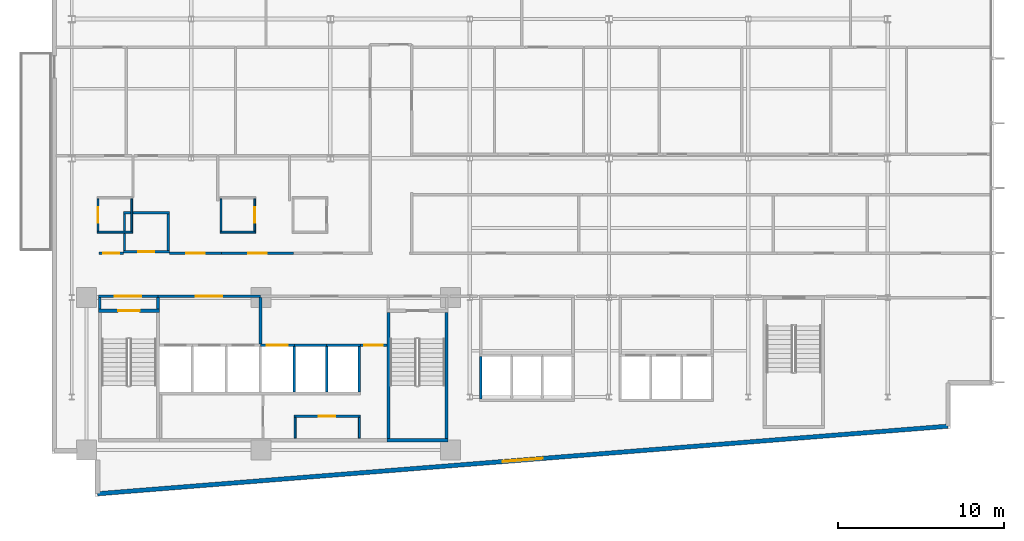
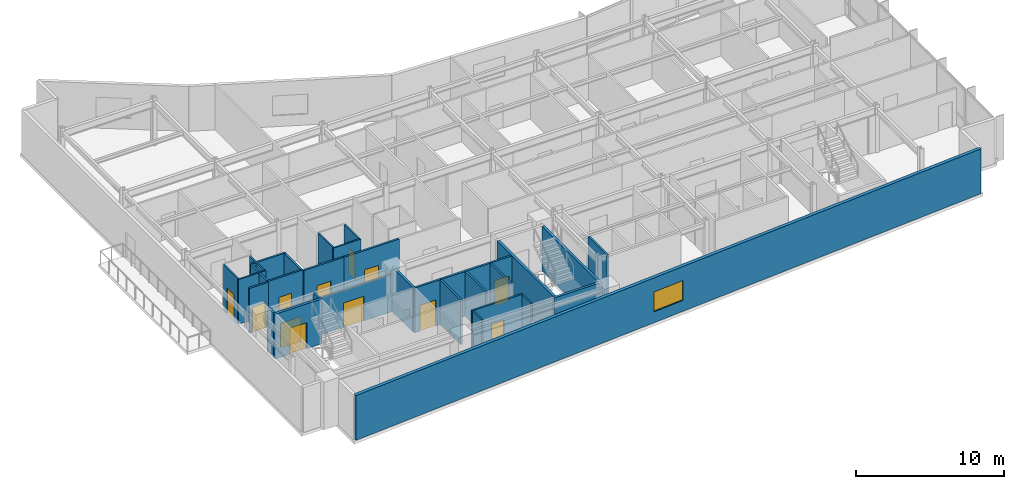
# One storey, part 10 of 18: 34 walls, 12 doors, 1 window, 13 openings.
"""IFC4 building model written with IfcOpenShell, lengths in metres."""

from ifc_helpers import new_model, si_unit, direction, frame, frame_2d, origin, place, context, subcontext, project, spatial, rectangle, extrude, material, layer, layer_set, type_object, element, fill, save


model = new_model("IFC4")

# Units and contexts
model_context = context("Model", 3, precision=1e-05, world=origin(), true_north=direction((0.0, 1.0)))
body_context = subcontext(model_context, "Body", "Model", "MODEL_VIEW")
ifc_project = project(units=[si_unit("LENGTHUNIT", "METRE"), si_unit("AREAUNIT", "SQUARE_METRE"), si_unit("VOLUMEUNIT", "CUBIC_METRE"), si_unit("PLANEANGLEUNIT", "RADIAN"), si_unit("MASSUNIT", "GRAM", prefix="KILO")], contexts=[model_context])

# Site, building, storey
site_placement = place(None, origin())
site = spatial("IfcSite", under=ifc_project, at=site_placement, CompositionType="ELEMENT")
building_placement = place(site_placement, origin())
building = spatial("IfcBuilding", under=site, at=building_placement, Name="Varnakote Quay Hospital", CompositionType="ELEMENT")
storey_placement = place(building_placement, frame((0.0, 0.0, 107.300048828125)))
storey = spatial("IfcBuildingStorey", under=building, at=storey_placement, Name="L26", CompositionType="ELEMENT", Elevation=107.300048828125)

# Wall
ifc_material_1 = material(Name="Fire-rated acoustic gypsum stud wall", Category="gypsum")
ifc_layer_1 = layer(ifc_material_1, 0.159912109375)
ifc_layer_set_1 = layer_set([ifc_layer_1], Name="Fire-rated acoustic gypsum stud wall")
wall_type_1 = type_object("IfcWallType", Name="WL-COMP-160", PredefinedType="PARTITIONING", material=ifc_layer_set_1)
wall_1_placement = place(storey_placement, frame((2.8798828125, 11.300048828125, 0.0), z_axis=(0.0, 0.0, 1.0), x_axis=(0.0, 1.0, 0.0)))
element("IfcWall", 1, at=wall_1_placement, inside=storey, type_object=wall_type_1, Name="L26 West Stair Vestibule West Wall", PredefinedType="PARTITIONING", context=body_context, shape_type="SweptSolid", body=[
    extrude(rectangle(XDim=0.699951171875, YDim=0.159912109375, at=frame_2d((0.35009765625, 0.0))), origin(), (0.0, 0.0, 1.0), 3.7099609375),
])

# Wall, opening, door
wall_2_placement = place(storey_placement, frame((2.800048828125, 12.080078125, 0.0), z_axis=(0.0, 0.0, 1.0), x_axis=(1.0, 0.0, 0.0)))
wall_2 = element("IfcWall", 2, at=wall_2_placement, inside=storey, type_object=wall_type_1, Name="L26 West Stair Vestibule Smoke Wall", PredefinedType="PARTITIONING", context=body_context, shape_type="SweptSolid", body=[
    extrude(rectangle(XDim=3.599853515625, YDim=0.159912109375, at=frame_2d((1.7998046875, 0.0))), origin(), (0.0, 0.0, 1.0), 3.0830078125),
])
opening_1_placement = place(wall_2_placement, frame((1.0, 0.0, 0.0)))
opening_1 = element("IfcOpeningElement", 3, at=opening_1_placement, cuts=wall_2, Name="Opening D-ST1L-L26", PredefinedType="OPENING", context=body_context, shape_type="SweptSolid", body=[
    extrude(rectangle(XDim=1.60009765625, YDim=2.050048828125, at=frame_2d((0.800048828125, 1.02490234375))), frame((0.0, 0.08984375, 0.0), z_axis=(0.0, -1.0, 0.0), x_axis=(1.0, 0.0, 0.0)), (0.0, 0.0, 1.0), 0.179931640625),
])
ifc_material_2 = material(Name="Fire-rated double smoke lobby door")
door_type_1 = type_object("IfcDoorType", Name="DR-LOBBY-FD60S-1600x2150", OperationType="NOTDEFINED", PredefinedType="DOOR", material=ifc_material_2)
door_1_placement = place(opening_1_placement, origin())
door_1 = element("IfcDoor", 4, at=door_1_placement, inside=storey, type_object=door_type_1, Name="L26 West Stair Vestibule Smoke Door", OperationType="DOUBLE_DOOR_SINGLE_SWING", OverallHeight=2.050048828125, OverallWidth=1.60009765625, PredefinedType="DOOR", context=body_context, shape_type="SweptSolid", body=[
    extrude(rectangle(XDim=1.60009765625, YDim=2.050048828125, at=frame_2d((0.800048828125, 1.02490234375))), frame((0.0, 0.02490234375, 0.0), z_axis=(0.0, -1.0, 0.0), x_axis=(1.0, 0.0, 0.0)), (0.0, 0.0, 1.0), 0.050048828125),
])
fill(opening_1, door_1)

# Wall
wall_3_placement = place(storey_placement, frame((6.39990234375, 11.300048828125, 0.0), z_axis=(0.0, 0.0, 1.0), x_axis=(0.0, 1.0, 0.0)))
element("IfcWall", 5, at=wall_3_placement, inside=storey, type_object=wall_type_1, Name="L26 Firefighting Lobby West Wall", PredefinedType="PARTITIONING", context=body_context, shape_type="SweptSolid", body=[
    extrude(rectangle(XDim=0.699951171875, YDim=0.159912109375, at=frame_2d((0.35009765625, 0.0))), origin(), (0.0, 0.0, 1.0), 3.7099609375),
])

# Wall, opening, door
wall_4_placement = place(storey_placement, frame((6.39990234375, 12.080078125, 0.0), z_axis=(0.0, 0.0, 1.0), x_axis=(1.0, 0.0, 0.0)))
wall_4 = element("IfcWall", 6, at=wall_4_placement, inside=storey, type_object=wall_type_1, Name="L26 Firefighting Lift Lobby Compartment Wall", PredefinedType="PARTITIONING", context=body_context, shape_type="SweptSolid", body=[
    extrude(rectangle(XDim=6.18017578125, YDim=0.159912109375, at=frame_2d((3.090087890625, 0.0))), origin(), (0.0, 0.0, 1.0), 3.0830078125),
])
opening_2_placement = place(wall_4_placement, frame((2.2900390625, 0.0, 0.0)))
opening_2 = element("IfcOpeningElement", 7, at=opening_2_placement, cuts=wall_4, Name="Opening D-FFL-L26", PredefinedType="OPENING", context=body_context, shape_type="SweptSolid", body=[
    extrude(rectangle(XDim=1.60009765625, YDim=2.050048828125, at=frame_2d((0.800048828125, 1.02490234375))), frame((0.0, 0.08984375, 0.0), z_axis=(0.0, -1.0, 0.0), x_axis=(1.0, 0.0, 0.0)), (0.0, 0.0, 1.0), 0.179931640625),
])
door_2_placement = place(opening_2_placement, origin())
door_2 = element("IfcDoor", 8, at=door_2_placement, inside=storey, type_object=door_type_1, Name="L26 Firefighting Smoke Vestibule Door", OperationType="DOUBLE_DOOR_SINGLE_SWING", OverallHeight=2.050048828125, OverallWidth=1.60009765625, PredefinedType="DOOR", context=body_context, shape_type="SweptSolid", body=[
    extrude(rectangle(XDim=1.60009765625, YDim=2.050048828125, at=frame_2d((0.800048828125, 1.02490234375))), frame((0.0, 0.02490234375, 0.0), z_axis=(0.0, -1.0, 0.0), x_axis=(1.0, 0.0, 0.0)), (0.0, 0.0, 1.0), 0.050048828125),
])
fill(opening_2, door_2)

# Walls
wall_5_placement = place(storey_placement, frame((12.580078125, 9.2099609375, 0.0), z_axis=(0.0, 0.0, 1.0), x_axis=(0.0, 1.0, 0.0)))
element("IfcWall", 9, at=wall_5_placement, inside=storey, type_object=wall_type_1, Name="L26 Firefighting to Service Lobby Wall", PredefinedType="PARTITIONING", context=body_context, shape_type="SweptSolid", body=[
    extrude(rectangle(XDim=2.7900390625, YDim=0.159912109375, at=frame_2d((1.39501953125, 0.0))), origin(), (0.0, 0.0, 1.0), 3.7099609375),
])
ifc_material_3 = material(Name="Moisture-resistant bathroom partition", Category="gypsum")
ifc_layer_2 = layer(ifc_material_3, 0.114990234375)
ifc_layer_set_2 = layer_set([ifc_layer_2], Name="Moisture-resistant bathroom partition")
wall_type_2 = type_object("IfcWallType", Name="WL-ENS-115", PredefinedType="PARTITIONING", material=ifc_layer_set_2)
wall_6_placement = place(storey_placement, frame((2.72509765625, 15.952392578125, 0.0), z_axis=(0.0, 0.0, 1.0), x_axis=(1.0, 0.0, 0.0)))
element("IfcWall", 10, at=wall_6_placement, inside=storey, type_object=wall_type_2, Name="L26 Inpatient En-Suite Bathroom 01 S Wall", PredefinedType="PARTITIONING", context=body_context, shape_type="SweptSolid", body=[
    extrude(rectangle(XDim=2.14990234375, YDim=0.114990234375, at=frame_2d((1.074951171875, 0.0))), origin(), (0.0, 0.0, 1.0), 3.7099609375),
])

# Wall, opening, door
wall_7_placement = place(storey_placement, frame((2.782470703125, 16.010009765625, 0.0), z_axis=(0.0, 0.0, 1.0), x_axis=(0.0, 1.0, 0.0)))
wall_7 = element("IfcWall", 11, at=wall_7_placement, inside=storey, type_object=wall_type_2, Name="L26 Inpatient En-Suite Bathroom 01 W Wall", PredefinedType="PARTITIONING", context=body_context, shape_type="SweptSolid", body=[
    extrude(rectangle(XDim=1.949951171875, YDim=0.114990234375, at=frame_2d((0.97509765625, 0.0))), origin(), (0.0, 0.0, 1.0), 3.7099609375),
])
opening_3_placement = place(wall_7_placement, frame((0.514892578125, 0.0, 0.0)))
opening_3 = element("IfcOpeningElement", 12, at=opening_3_placement, cuts=wall_7, Name="Opening D-L26-ENS01", PredefinedType="OPENING", context=body_context, shape_type="SweptSolid", body=[
    extrude(rectangle(XDim=0.919921875, YDim=2.10009765625, at=frame_2d((0.4599609375, 1.050048828125))), frame((0.0, 0.0673828125, 0.0), z_axis=(0.0, -1.0, 0.0), x_axis=(1.0, 0.0, 0.0)), (0.0, 0.0, 1.0), 0.135009765625),
])
ifc_material_4 = material(Name="Moisture-sealed en-suite bathroom door")
door_type_2 = type_object("IfcDoorType", Name="DR-ENS-920x2100", OperationType="NOTDEFINED", PredefinedType="DOOR", material=ifc_material_4)
door_3_placement = place(opening_3_placement, origin())
door_3 = element("IfcDoor", 13, at=door_3_placement, inside=storey, type_object=door_type_2, Name="L26 Inpatient En-Suite Bathroom 01 Door", OperationType="SINGLE_SWING_RIGHT", OverallHeight=2.10009765625, OverallWidth=0.919921875, PredefinedType="DOOR", context=body_context, shape_type="SweptSolid", body=[
    extrude(rectangle(XDim=0.919921875, YDim=2.10009765625, at=frame_2d((0.4599609375, 1.050048828125))), frame((0.0, 0.02490234375, 0.0), z_axis=(0.0, -1.0, 0.0), x_axis=(1.0, 0.0, 0.0)), (0.0, 0.0, 1.0), 0.050048828125),
])
fill(opening_3, door_3)

# Walls
wall_8_placement = place(storey_placement, frame((4.8173828125, 16.010009765625, 0.0), z_axis=(0.0, 0.0, 1.0), x_axis=(0.0, 1.0, 0.0)))
element("IfcWall", 14, at=wall_8_placement, inside=storey, type_object=wall_type_2, Name="L26 Inpatient En-Suite Bathroom 01 E Wall", PredefinedType="PARTITIONING", context=body_context, shape_type="SweptSolid", body=[
    extrude(rectangle(XDim=1.949951171875, YDim=0.114990234375, at=frame_2d((0.97509765625, 0.0))), origin(), (0.0, 0.0, 1.0), 3.7099609375),
])
wall_9_placement = place(storey_placement, frame((10.14501953125, 15.952392578125, 0.0), z_axis=(0.0, 0.0, 1.0), x_axis=(1.0, 0.0, 0.0)))
element("IfcWall", 15, at=wall_9_placement, inside=storey, type_object=wall_type_2, Name="L26 Inpatient En-Suite Bathroom 02 S Wall", PredefinedType="PARTITIONING", context=body_context, shape_type="SweptSolid", body=[
    extrude(rectangle(XDim=2.14990234375, YDim=0.114990234375, at=frame_2d((1.074951171875, 0.0))), origin(), (0.0, 0.0, 1.0), 3.7099609375),
])
wall_10_placement = place(storey_placement, frame((10.202392578125, 16.010009765625, 0.0), z_axis=(0.0, 0.0, 1.0), x_axis=(0.0, 1.0, 0.0)))
element("IfcWall", 16, at=wall_10_placement, inside=storey, type_object=wall_type_2, Name="L26 Inpatient En-Suite Bathroom 02 W Wall", PredefinedType="PARTITIONING", context=body_context, shape_type="SweptSolid", body=[
    extrude(rectangle(XDim=1.949951171875, YDim=0.114990234375, at=frame_2d((0.97509765625, 0.0))), origin(), (0.0, 0.0, 1.0), 3.7099609375),
])

# Wall, opening, door
wall_11_placement = place(storey_placement, frame((12.237548828125, 16.010009765625, 0.0), z_axis=(0.0, 0.0, 1.0), x_axis=(0.0, 1.0, 0.0)))
wall_11 = element("IfcWall", 17, at=wall_11_placement, inside=storey, type_object=wall_type_2, Name="L26 Inpatient En-Suite Bathroom 02 E Wall", PredefinedType="PARTITIONING", context=body_context, shape_type="SweptSolid", body=[
    extrude(rectangle(XDim=1.949951171875, YDim=0.114990234375, at=frame_2d((0.97509765625, 0.0))), origin(), (0.0, 0.0, 1.0), 3.7099609375),
])
opening_4_placement = place(wall_11_placement, frame((0.514892578125, 0.0, 0.0)))
opening_4 = element("IfcOpeningElement", 18, at=opening_4_placement, cuts=wall_11, Name="Opening D-L26-ENS02", PredefinedType="OPENING", context=body_context, shape_type="SweptSolid", body=[
    extrude(rectangle(XDim=0.919921875, YDim=2.10009765625, at=frame_2d((0.4599609375, 1.050048828125))), frame((0.0, 0.0673828125, 0.0), z_axis=(0.0, -1.0, 0.0), x_axis=(1.0, 0.0, 0.0)), (0.0, 0.0, 1.0), 0.135009765625),
])
door_4_placement = place(opening_4_placement, origin())
door_4 = element("IfcDoor", 19, at=door_4_placement, inside=storey, type_object=door_type_2, Name="L26 Inpatient En-Suite Bathroom 02 Door", OperationType="SINGLE_SWING_LEFT", OverallHeight=2.10009765625, OverallWidth=0.919921875, PredefinedType="DOOR", context=body_context, shape_type="SweptSolid", body=[
    extrude(rectangle(XDim=0.919921875, YDim=2.10009765625, at=frame_2d((0.4599609375, 1.050048828125))), frame((0.0, 0.02490234375, 0.0), z_axis=(0.0, -1.0, 0.0), x_axis=(1.0, 0.0, 0.0)), (0.0, 0.0, 1.0), 0.050048828125),
])
fill(opening_4, door_4)

# Wall, opening, window
ifc_material_5 = material(Name="Precast concrete N50 (f'c 50 MPa)", Category="concrete")
ifc_layer_3 = layer(ifc_material_5, 0.260009765625)
ifc_layer_set_3 = layer_set([ifc_layer_3], Name="Precast concrete N50 (f'c 50 MPa)")
wall_type_3 = type_object("IfcWallType", Name="WL-EXT-BRICK-260", PredefinedType="STANDARD", material=ifc_layer_set_3)
wall_12_placement = place(storey_placement, frame((2.760009765625, 0.173095703125, 0.0), z_axis=(0.0, 0.0, 1.0), x_axis=(0.996857931723, 0.079210251617, 0.0)))
wall_12 = element("IfcWall", 20, at=wall_12_placement, inside=storey, type_object=wall_type_3, Name="L26 Brick-Faced Precast Exterior Wall", PredefinedType="STANDARD", context=body_context, shape_type="SweptSolid", body=[
    extrude(rectangle(XDim=51.441650390625, YDim=0.260009765625, at=frame_2d((25.720703125, 0.0))), origin(), (0.0, 0.0, 1.0), 3.7099609375),
])
opening_5_placement = place(wall_12_placement, frame((24.520751953125, 0.0, 0.89990234375)))
opening_5 = element("IfcOpeningElement", 21, at=opening_5_placement, cuts=wall_12, Name="Opening WN-0114", PredefinedType="OPENING", context=body_context, shape_type="SweptSolid", body=[
    extrude(rectangle(XDim=2.39990234375, YDim=1.64990234375, at=frame_2d((1.199951171875, 0.824951171875))), frame((0.0, 0.139892578125, 0.0), z_axis=(0.0, -1.0, 0.0), x_axis=(1.0, 0.0, 0.0)), (0.0, 0.0, 1.0), 0.280029296875),
])
ifc_material_6 = material(Name="Double-glazed low-E solar glass", Category="glass")
window_type = type_object("IfcWindowType", Name="WIN-CLIN-2400x1650", PartitioningType="SINGLE_PANEL", PredefinedType="WINDOW", material=ifc_material_6)
window_placement = place(opening_5_placement, origin())
window = element("IfcWindow", 22, at=window_placement, inside=storey, type_object=window_type, Name="L26 Solar-Control Clinical Window", OverallHeight=1.64990234375, OverallWidth=2.39990234375, PartitioningType="SINGLE_PANEL", PredefinedType="WINDOW", context=body_context, shape_type="SweptSolid", body=[
    extrude(rectangle(XDim=2.39990234375, YDim=1.64990234375, at=frame_2d((1.199951171875, 0.824951171875))), frame((0.0, 0.030029296875, 0.0), z_axis=(0.0, -1.0, 0.0), x_axis=(1.0, 0.0, 0.0)), (0.0, 0.0, 1.0), 0.06005859375),
])
fill(opening_5, window)

# Walls
ifc_material_7 = material(Name="Concrete N50 (f'c 50 MPa)", Category="concrete")
ifc_layer_4 = layer(ifc_material_7, 0.14990234375)
ifc_layer_set_4 = layer_set([ifc_layer_4], Name="Concrete N50 (f'c 50 MPa)")
wall_type_4 = type_object("IfcWallType", Name="WL-SHAFT-N50-150", PredefinedType="SHEAR", material=ifc_layer_set_4)
for number, where, z_axis, x_axis, name in (
    (23, (14.625, 6.300048828125, 0.0), (0.0, 0.0, 1.0), (0.0, 1.0, 0.0), "L26 LF-SV2 Hoistway Divider Wall"),
    (24, (16.574951171875, 6.300048828125, 0.0), (0.0, 0.0, 1.0), (0.0, 1.0, 0.0), "L26 LF-PH1 Hoistway Divider Wall"),
):
    element("IfcWall", number, at=place(storey_placement, frame(where, z_axis=z_axis, x_axis=x_axis)), inside=storey, type_object=wall_type_4, Name=name, PredefinedType="SHEAR", context=body_context, shape_type="SweptSolid", body=[
        extrude(rectangle(XDim=2.75, YDim=0.14990234375, at=frame_2d((1.375, 0.0))), origin(), (0.0, 0.0, 1.0), 3.7099609375),
    ])
ifc_material_8 = material(Name="Concrete N50 (f'c 50 MPa)", Category="concrete")
ifc_layer_5 = layer(ifc_material_8, 0.159912109375)
ifc_layer_set_5 = layer_set([ifc_layer_5], Name="Concrete N50 (f'c 50 MPa)")
wall_type_5 = type_object("IfcWallType", Name="WL-SHAFT-N50-160", PredefinedType="SHEAR", material=ifc_layer_set_5)
wall_13_placement = place(storey_placement, frame((18.530029296875, 6.300048828125, 0.0), z_axis=(0.0, 0.0, 1.0), x_axis=(0.0, 1.0, 0.0)))
element("IfcWall", 25, at=wall_13_placement, inside=storey, type_object=wall_type_5, Name="L26 REAR Lift Bank East Shear Wall", PredefinedType="SHEAR", context=body_context, shape_type="SweptSolid", body=[
    extrude(rectangle(XDim=2.75, YDim=0.159912109375, at=frame_2d((1.375, 0.0))), origin(), (0.0, 0.0, 1.0), 3.7099609375),
])

# Wall, opening, door
wall_14_placement = place(storey_placement, frame((12.574951171875, 9.1298828125, 0.0), z_axis=(0.0, 0.0, 1.0), x_axis=(1.0, 0.0, 0.0)))
wall_14 = element("IfcWall", 26, at=wall_14_placement, inside=storey, type_object=wall_type_5, Name="L26 LF-SV2 Hoistway Front Wall", PredefinedType="SHEAR", context=body_context, shape_type="SweptSolid", body=[
    extrude(rectangle(XDim=2.050048828125, YDim=0.159912109375, at=frame_2d((1.02490234375, 0.0))), origin(), (0.0, 0.0, 1.0), 3.7099609375),
])
opening_6_placement = place(wall_14_placement, frame((0.39990234375, 0.0, 0.0)))
opening_6 = element("IfcOpeningElement", 27, at=opening_6_placement, cuts=wall_14, Name="Opening LD-SV2-L26", PredefinedType="OPENING", context=body_context, shape_type="SweptSolid", body=[
    extrude(rectangle(XDim=1.25, YDim=2.14990234375, at=frame_2d((0.625, 1.074951171875))), frame((0.0, 0.08984375, 0.0), z_axis=(0.0, -1.0, 0.0), x_axis=(1.0, 0.0, 0.0)), (0.0, 0.0, 1.0), 0.179931640625),
])
ifc_material_9 = material(Name="Stainless steel lift landing sliding door", Category="steel")
door_type_3 = type_object("IfcDoorType", Name="DR-LIFT-LD-1250x2150", OperationType="NOTDEFINED", PredefinedType="DOOR", material=ifc_material_9)
door_5_placement = place(opening_6_placement, origin())
door_5 = element("IfcDoor", 28, at=door_5_placement, inside=storey, type_object=door_type_3, Name="L26 LF-SV2 Lift Landing Sliding Door", OperationType="SLIDING_TO_LEFT", OverallHeight=2.14990234375, OverallWidth=1.25, PredefinedType="DOOR", context=body_context, shape_type="SweptSolid", body=[
    extrude(rectangle(XDim=1.25, YDim=2.14990234375, at=frame_2d((0.625, 1.074951171875))), frame((0.0, 0.02490234375, 0.0), z_axis=(0.0, -1.0, 0.0), x_axis=(1.0, 0.0, 0.0)), (0.0, 0.0, 1.0), 0.050048828125),
])
fill(opening_6, door_5)

# Walls
wall_15_placement = place(storey_placement, frame((14.625, 9.1298828125, 0.0), z_axis=(0.0, 0.0, 1.0), x_axis=(1.0, 0.0, 0.0)))
element("IfcWall", 29, at=wall_15_placement, inside=storey, type_object=wall_type_5, Name="L26 LF-PH1 Hoistway Front Wall", PredefinedType="SHEAR", context=body_context, shape_type="SweptSolid", body=[
    extrude(rectangle(XDim=1.949951171875, YDim=0.159912109375, at=frame_2d((0.97509765625, 0.0))), origin(), (0.0, 0.0, 1.0), 3.7099609375),
])
wall_16_placement = place(storey_placement, frame((16.574951171875, 9.1298828125, 0.0), z_axis=(0.0, 0.0, 1.0), x_axis=(1.0, 0.0, 0.0)))
element("IfcWall", 30, at=wall_16_placement, inside=storey, type_object=wall_type_5, Name="L26 LF-PH2 Hoistway Front Wall", PredefinedType="SHEAR", context=body_context, shape_type="SweptSolid", body=[
    extrude(rectangle(XDim=2.03515625, YDim=0.159912109375, at=frame_2d((1.017578125, 0.0))), origin(), (0.0, 0.0, 1.0), 3.7099609375),
])
wall_17_placement = place(storey_placement, frame((25.8701171875, 5.89990234375, 0.0), z_axis=(0.0, 0.0, 1.0), x_axis=(0.0, 1.0, 0.0)))
element("IfcWall", 31, at=wall_17_placement, inside=storey, type_object=wall_type_5, Name="L26 LOW Lift Bank West Shear Wall", PredefinedType="SHEAR", context=body_context, shape_type="SweptSolid", body=[
    extrude(rectangle(XDim=2.550048828125, YDim=0.159912109375, at=frame_2d((1.27490234375, 0.0))), origin(), (0.0, 0.0, 1.0), 3.7099609375),
])

# Wall, opening, door
ifc_material_10 = material(Name="Concrete N50 (f'c 50 MPa)", Category="concrete")
ifc_layer_6 = layer(ifc_material_10, 0.199951171875)
ifc_layer_set_6 = layer_set([ifc_layer_6], Name="Concrete N50 (f'c 50 MPa)")
wall_type_6 = type_object("IfcWallType", Name="WL-SHAFT-N50-200", PredefinedType="SHEAR", material=ifc_layer_set_6)
wall_18_placement = place(storey_placement, frame((2.800048828125, 11.199951171875, 0.0), z_axis=(0.0, 0.0, 1.0), x_axis=(1.0, 0.0, 0.0)))
wall_18 = element("IfcWall", 32, at=wall_18_placement, inside=storey, type_object=wall_type_6, Name="L26 Stair ST1 Exit Wall", PredefinedType="SHEAR", context=body_context, shape_type="SweptSolid", body=[
    extrude(rectangle(XDim=3.699951171875, YDim=0.199951171875, at=frame_2d((1.85009765625, 0.0))), origin(), (0.0, 0.0, 1.0), 3.7099609375),
])
opening_7_placement = place(wall_18_placement, frame((1.199951171875, 0.0, 0.0)))
opening_7 = element("IfcOpeningElement", 33, at=opening_7_placement, cuts=wall_18, Name="Opening D-ST1-L26", PredefinedType="OPENING", context=body_context, shape_type="SweptSolid", body=[
    extrude(rectangle(XDim=1.300048828125, YDim=2.14990234375, at=frame_2d((0.64990234375, 1.074951171875))), frame((0.0, 0.10986328125, 0.0), z_axis=(0.0, -1.0, 0.0), x_axis=(1.0, 0.0, 0.0)), (0.0, 0.0, 1.0), 0.219970703125),
])
ifc_material_11 = material(Name="Fire-rated ceramic-glazed timber exit door", Category="wood")
door_type_4 = type_object("IfcDoorType", Name="DR-STAIR-FD60S-1300x2150", OperationType="NOTDEFINED", PredefinedType="DOOR", material=ifc_material_11)
door_6_placement = place(opening_7_placement, origin())
door_6 = element("IfcDoor", 34, at=door_6_placement, inside=storey, type_object=door_type_4, Name="L26 Stair ST1 Fire Exit Door", OperationType="SINGLE_SWING_RIGHT", OverallHeight=2.14990234375, OverallWidth=1.300048828125, PredefinedType="DOOR", context=body_context, shape_type="SweptSolid", body=[
    extrude(rectangle(XDim=1.300048828125, YDim=2.14990234375, at=frame_2d((0.64990234375, 1.074951171875))), frame((0.0, 0.02490234375, 0.0), z_axis=(0.0, -1.0, 0.0), x_axis=(1.0, 0.0, 0.0)), (0.0, 0.0, 1.0), 0.050048828125),
])
fill(opening_7, door_6)

# Walls
wall_19_placement = place(storey_placement, frame((20.199951171875, 3.39990234375, 0.0), z_axis=(0.0, 0.0, 1.0), x_axis=(1.0, 0.0, 0.0)))
element("IfcWall", 35, at=wall_19_placement, inside=storey, type_object=wall_type_6, Name="L26 Stair ST2 South Shaft Wall", PredefinedType="SHEAR", context=body_context, shape_type="SweptSolid", body=[
    extrude(rectangle(XDim=3.699951171875, YDim=0.199951171875, at=frame_2d((1.85009765625, 0.0))), origin(), (0.0, 0.0, 1.0), 3.7099609375),
])
for number, where, z_axis, x_axis, name in (
    (36, (20.300048828125, 3.5, 0.0), (0.0, 0.0, 1.0), (0.0, 1.0, 0.0), "L26 Stair ST2 West Shaft Wall"),
    (37, (23.800048828125, 3.5, 0.0), (0.0, 0.0, 1.0), (0.0, 1.0, 0.0), "L26 Stair ST2 East Shaft Wall"),
):
    element("IfcWall", number, at=place(storey_placement, frame(where, z_axis=z_axis, x_axis=x_axis)), inside=storey, type_object=wall_type_6, Name=name, PredefinedType="SHEAR", context=body_context, shape_type="SweptSolid", body=[
        extrude(rectangle(XDim=7.60009765625, YDim=0.199951171875, at=frame_2d((3.800048828125, 0.0))), origin(), (0.0, 0.0, 1.0), 3.7099609375),
    ])
ifc_material_12 = material(Name="Smoke-proof clinical partition", Category="gypsum")
ifc_layer_7 = layer(ifc_material_12, 0.1201171875)
ifc_layer_set_7 = layer_set([ifc_layer_7], Name="Smoke-proof clinical partition")
wall_type_7 = type_object("IfcWallType", Name="WL-SMOKE-120", PredefinedType="PARTITIONING", material=ifc_layer_set_7)
for number, where, z_axis, x_axis, name in (
    (38, (14.669921875, 3.52001953125, 0.0), (0.0, 0.0, 1.0), (0.0, 1.0, 0.0), "L26 Core WC West Wall"),
    (39, (18.5400390625, 3.52001953125, 0.0), (0.0, 0.0, 1.0), (0.0, 1.0, 0.0), "L26 Core WC East Wall"),
):
    element("IfcWall", number, at=place(storey_placement, frame(where, z_axis=z_axis, x_axis=x_axis)), inside=storey, type_object=wall_type_7, Name=name, PredefinedType="PARTITIONING", context=body_context, shape_type="SweptSolid", body=[
        extrude(rectangle(XDim=1.260009765625, YDim=0.1201171875, at=frame_2d((0.6298828125, 0.0))), origin(), (0.0, 0.0, 1.0), 3.7099609375),
    ])

# Wall, opening, door
ifc_material_13 = material(Name="Fire-rated clinical gypsum partition", Category="gypsum")
ifc_layer_8 = layer(ifc_material_13, 0.139892578125)
ifc_layer_set_8 = layer_set([ifc_layer_8], Name="Fire-rated clinical gypsum partition")
wall_type_8 = type_object("IfcWallType", Name="WL-WARD-140", PredefinedType="PARTITIONING", material=ifc_layer_set_8)
wall_20_placement = place(storey_placement, frame((14.60009765625, 4.85009765625, 0.0), z_axis=(0.0, 0.0, 1.0), x_axis=(1.0, 0.0, 0.0)))
wall_20 = element("IfcWall", 40, at=wall_20_placement, inside=storey, type_object=wall_type_8, Name="L26 Core Staff Sanitary WC North Wall", PredefinedType="PARTITIONING", context=body_context, shape_type="SweptSolid", body=[
    extrude(rectangle(XDim=4.0, YDim=0.139892578125, at=frame_2d((2.0, 0.0))), origin(), (0.0, 0.0, 1.0), 3.7099609375),
])
opening_8_placement = place(wall_20_placement, frame((1.510009765625, 0.0, 0.0)))
opening_8 = element("IfcOpeningElement", 41, at=opening_8_placement, cuts=wall_20, Name="Opening D-L26-CR02", PredefinedType="OPENING", context=body_context, shape_type="SweptSolid", body=[
    extrude(rectangle(XDim=0.97998046875, YDim=2.10009765625, at=frame_2d((0.489990234375, 1.050048828125))), frame((0.0, 0.079833984375, 0.0), z_axis=(0.0, -1.0, 0.0), x_axis=(1.0, 0.0, 0.0)), (0.0, 0.0, 1.0), 0.159912109375),
])
ifc_material_14 = material(Name="Accessible sanitary compartment door")
door_type_5 = type_object("IfcDoorType", Name="DR-WC-980x2100", OperationType="NOTDEFINED", PredefinedType="DOOR", material=ifc_material_14)
door_7_placement = place(opening_8_placement, origin())
door_7 = element("IfcDoor", 42, at=door_7_placement, inside=storey, type_object=door_type_5, Name="L26 Core Staff Sanitary WC Door", OperationType="SINGLE_SWING_RIGHT", OverallHeight=2.10009765625, OverallWidth=0.97998046875, PredefinedType="DOOR", context=body_context, shape_type="SweptSolid", body=[
    extrude(rectangle(XDim=0.97998046875, YDim=2.10009765625, at=frame_2d((0.489990234375, 1.050048828125))), frame((0.0, 0.02490234375, 0.0), z_axis=(0.0, -1.0, 0.0), x_axis=(1.0, 0.0, 0.0)), (0.0, 0.0, 1.0), 0.050048828125),
])
fill(opening_8, door_7)

wall_21_placement = place(storey_placement, frame((18.610107421875, 9.1298828125, 0.0), z_axis=(0.0, 0.0, 1.0), x_axis=(1.0, 0.0, 0.0)))
wall_21 = element("IfcWall", 43, at=wall_21_placement, inside=storey, type_object=wall_type_8, Name="L26 Core Service Corridor North Door Wall", PredefinedType="PARTITIONING", context=body_context, shape_type="SweptSolid", body=[
    extrude(rectangle(XDim=1.58984375, YDim=0.139892578125, at=frame_2d((0.794921875, 0.0))), origin(), (0.0, 0.0, 1.0), 3.7099609375),
])
opening_9_placement = place(wall_21_placement, frame((0.239990234375, 0.0, 0.0)))
opening_9 = element("IfcOpeningElement", 44, at=opening_9_placement, cuts=wall_21, Name="Opening D-CSRV-L26", PredefinedType="OPENING", context=body_context, shape_type="SweptSolid", body=[
    extrude(rectangle(XDim=1.10009765625, YDim=2.10009765625, at=frame_2d((0.550048828125, 1.050048828125))), frame((0.0, 0.079833984375, 0.0), z_axis=(0.0, -1.0, 0.0), x_axis=(1.0, 0.0, 0.0)), (0.0, 0.0, 1.0), 0.159912109375),
])
ifc_material_15 = material(Name="Acoustic timber clinical consult door", Category="wood")
door_type_6 = type_object("IfcDoorType", Name="DR-CLIN-FD30S-1100x2100", OperationType="NOTDEFINED", PredefinedType="DOOR", material=ifc_material_15)
door_8_placement = place(opening_9_placement, origin())
door_8 = element("IfcDoor", 45, at=door_8_placement, inside=storey, type_object=door_type_6, Name="L26 Core Service Corridor Door", OperationType="SINGLE_SWING_LEFT", OverallHeight=2.10009765625, OverallWidth=1.10009765625, PredefinedType="DOOR", context=body_context, shape_type="SweptSolid", body=[
    extrude(rectangle(XDim=1.10009765625, YDim=2.10009765625, at=frame_2d((0.550048828125, 1.050048828125))), frame((0.0, 0.02490234375, 0.0), z_axis=(0.0, -1.0, 0.0), x_axis=(1.0, 0.0, 0.0)), (0.0, 0.0, 1.0), 0.050048828125),
])
fill(opening_9, door_8)

wall_22_placement = place(storey_placement, frame((4.31005859375, 14.77001953125, 0.0), z_axis=(0.0, 0.0, 1.0), x_axis=(1.0, 0.0, 0.0)))
wall_22 = element("IfcWall", 46, at=wall_22_placement, inside=storey, type_object=wall_type_8, Name="L26 Floor Unisex Accessible WC S Wall", PredefinedType="PARTITIONING", context=body_context, shape_type="SweptSolid", body=[
    extrude(rectangle(XDim=2.780029296875, YDim=0.139892578125, at=frame_2d((1.39013671875, 0.0))), origin(), (0.0, 0.0, 1.0), 3.7099609375),
])
opening_10_placement = place(wall_22_placement, frame((0.89990234375, 0.0, 0.0)))
opening_10 = element("IfcOpeningElement", 47, at=opening_10_placement, cuts=wall_22, Name="Opening D-L26-EW01", PredefinedType="OPENING", context=body_context, shape_type="SweptSolid", body=[
    extrude(rectangle(XDim=0.97998046875, YDim=2.10009765625, at=frame_2d((0.489990234375, 1.050048828125))), frame((0.0, 0.079833984375, 0.0), z_axis=(0.0, -1.0, 0.0), x_axis=(1.0, 0.0, 0.0)), (0.0, 0.0, 1.0), 0.159912109375),
])
door_9_placement = place(opening_10_placement, origin())
door_9 = element("IfcDoor", 48, at=door_9_placement, inside=storey, type_object=door_type_5, Name="L26 Floor Unisex Accessible WC Door", OperationType="SINGLE_SWING_LEFT", OverallHeight=2.10009765625, OverallWidth=0.97998046875, PredefinedType="DOOR", context=body_context, shape_type="SweptSolid", body=[
    extrude(rectangle(XDim=0.97998046875, YDim=2.10009765625, at=frame_2d((0.489990234375, 1.050048828125))), frame((0.0, 0.02490234375, 0.0), z_axis=(0.0, -1.0, 0.0), x_axis=(1.0, 0.0, 0.0)), (0.0, 0.0, 1.0), 0.050048828125),
])
fill(opening_10, door_9)

# Walls
wall_23_placement = place(storey_placement, frame((4.31005859375, 17.110107421875, 0.0), z_axis=(0.0, 0.0, 1.0), x_axis=(1.0, 0.0, 0.0)))
element("IfcWall", 49, at=wall_23_placement, inside=storey, type_object=wall_type_8, Name="L26 Floor Unisex Accessible WC N Wall", PredefinedType="PARTITIONING", context=body_context, shape_type="SweptSolid", body=[
    extrude(rectangle(XDim=2.780029296875, YDim=0.139892578125, at=frame_2d((1.39013671875, 0.0))), origin(), (0.0, 0.0, 1.0), 3.7099609375),
])
for number, where, z_axis, x_axis, name in (
    (50, (4.3798828125, 14.840087890625, 0.0), (0.0, 0.0, 1.0), (0.0, 1.0, 0.0), "L26 Floor Unisex Accessible WC W Wall"),
    (51, (7.02001953125, 14.840087890625, 0.0), (0.0, 0.0, 1.0), (0.0, 1.0, 0.0), "L26 Floor Unisex Accessible WC E Wall"),
):
    element("IfcWall", number, at=place(storey_placement, frame(where, z_axis=z_axis, x_axis=x_axis)), inside=storey, type_object=wall_type_8, Name=name, PredefinedType="PARTITIONING", context=body_context, shape_type="SweptSolid", body=[
        extrude(rectangle(XDim=2.199951171875, YDim=0.139892578125, at=frame_2d((1.10009765625, 0.0))), origin(), (0.0, 0.0, 1.0), 3.7099609375),
    ])

# Wall, opening, door
ifc_material_16 = material(Name="Fire-rated clinical gypsum partition", Category="gypsum")
ifc_layer_9 = layer(ifc_material_16, 0.14990234375)
ifc_layer_set_9 = layer_set([ifc_layer_9], Name="Fire-rated clinical gypsum partition")
wall_type_9 = type_object("IfcWallType", Name="WL-WARD-150", PredefinedType="PARTITIONING", material=ifc_layer_set_9)
wall_24_placement = place(storey_placement, frame((4.30810546875, 14.679931640625, 0.0), z_axis=(0.0, 0.0, 1.0), x_axis=(-1.0, 0.0, 0.0)))
wall_24 = element("IfcWall", 52, at=wall_24_placement, inside=storey, type_object=wall_type_9, Name="L26 Clinical Interior Partition", PredefinedType="PARTITIONING", context=body_context, shape_type="SweptSolid", body=[
    extrude(rectangle(XDim=1.4580078125, YDim=0.14990234375, at=frame_2d((0.72900390625, 0.0))), origin(), (0.0, 0.0, 1.0), 3.7099609375),
])
opening_11_placement = place(wall_24_placement, frame((0.239013671875, 0.0, 0.0)))
opening_11 = element("IfcOpeningElement", 53, at=opening_11_placement, cuts=wall_24, Name="Opening D-L26-BR01", PredefinedType="OPENING", context=body_context, shape_type="SweptSolid", body=[
    extrude(rectangle(XDim=0.97998046875, YDim=2.10009765625, at=frame_2d((0.489990234375, 1.050048828125))), frame((0.0, 0.0849609375, 0.0), z_axis=(0.0, -1.0, 0.0), x_axis=(1.0, 0.0, 0.0)), (0.0, 0.0, 1.0), 0.169921875),
])
door_10_placement = place(opening_11_placement, origin())
door_10 = element("IfcDoor", 54, at=door_10_placement, inside=storey, type_object=door_type_5, Name="L26 Inpatient Clinical Treatment Room 01 Door", OperationType="SINGLE_SWING_RIGHT", OverallHeight=2.10009765625, OverallWidth=0.97998046875, PredefinedType="DOOR", context=body_context, shape_type="SweptSolid", body=[
    extrude(rectangle(XDim=0.97998046875, YDim=2.10009765625, at=frame_2d((0.489990234375, 1.050048828125))), frame((0.0, 0.02490234375, 0.0), z_axis=(0.0, -1.0, 0.0), x_axis=(1.0, 0.0, 0.0)), (0.0, 0.0, 1.0), 0.050048828125),
])
fill(opening_11, door_10)

wall_25_placement = place(storey_placement, frame((10.22607421875, 14.679931640625, 0.0), z_axis=(0.0, 0.0, 1.0), x_axis=(-1.0, 0.0, 0.0)))
wall_25 = element("IfcWall", 55, at=wall_25_placement, inside=storey, type_object=wall_type_9, Name="L26 Clinical Interior Partition", PredefinedType="PARTITIONING", context=body_context, shape_type="SweptSolid", body=[
    extrude(rectangle(XDim=3.134033203125, YDim=0.14990234375, at=frame_2d((1.56689453125, 0.0))), origin(), (0.0, 0.0, 1.0), 3.7099609375),
])
opening_12_placement = place(wall_25_placement, frame((1.01708984375, 0.0, 0.0)))
opening_12 = element("IfcOpeningElement", 56, at=opening_12_placement, cuts=wall_25, Name="Opening D-L26-MD01", PredefinedType="OPENING", context=body_context, shape_type="SweptSolid", body=[
    extrude(rectangle(XDim=1.10009765625, YDim=2.10009765625, at=frame_2d((0.550048828125, 1.050048828125))), frame((0.0, 0.0849609375, 0.0), z_axis=(0.0, -1.0, 0.0), x_axis=(1.0, 0.0, 0.0)), (0.0, 0.0, 1.0), 0.169921875),
])
door_11_placement = place(opening_12_placement, origin())
door_11 = element("IfcDoor", 57, at=door_11_placement, inside=storey, type_object=door_type_6, Name="L26 Paediatric Clinical Teaching Room Door", OperationType="SINGLE_SWING_LEFT", OverallHeight=2.10009765625, OverallWidth=1.10009765625, PredefinedType="DOOR", context=body_context, shape_type="SweptSolid", body=[
    extrude(rectangle(XDim=1.10009765625, YDim=2.10009765625, at=frame_2d((0.550048828125, 1.050048828125))), frame((0.0, 0.02490234375, 0.0), z_axis=(0.0, -1.0, 0.0), x_axis=(1.0, 0.0, 0.0)), (0.0, 0.0, 1.0), 0.050048828125),
])
fill(opening_12, door_11)

wall_26_placement = place(storey_placement, frame((14.56591796875, 14.679931640625, 0.0), z_axis=(0.0, 0.0, 1.0), x_axis=(-1.0, 0.0, 0.0)))
wall_26 = element("IfcWall", 58, at=wall_26_placement, inside=storey, type_object=wall_type_9, Name="L26 Clinical Interior Partition", PredefinedType="PARTITIONING", context=body_context, shape_type="SweptSolid", body=[
    extrude(rectangle(XDim=4.337890625, YDim=0.14990234375, at=frame_2d((2.1689453125, 0.0))), origin(), (0.0, 0.0, 1.0), 3.7099609375),
])
opening_13_placement = place(wall_26_placement, frame((1.618896484375, 0.0, 0.0)))
opening_13 = element("IfcOpeningElement", 59, at=opening_13_placement, cuts=wall_26, Name="Opening D-L26-BR02", PredefinedType="OPENING", context=body_context, shape_type="SweptSolid", body=[
    extrude(rectangle(XDim=1.10009765625, YDim=2.10009765625, at=frame_2d((0.550048828125, 1.050048828125))), frame((0.0, 0.0849609375, 0.0), z_axis=(0.0, -1.0, 0.0), x_axis=(1.0, 0.0, 0.0)), (0.0, 0.0, 1.0), 0.169921875),
])
door_12_placement = place(opening_13_placement, origin())
door_12 = element("IfcDoor", 60, at=door_12_placement, inside=storey, type_object=door_type_6, Name="L26 Inpatient Clinical Treatment Room 02 Door", OperationType="SINGLE_SWING_RIGHT", OverallHeight=2.10009765625, OverallWidth=1.10009765625, PredefinedType="DOOR", context=body_context, shape_type="SweptSolid", body=[
    extrude(rectangle(XDim=1.10009765625, YDim=2.10009765625, at=frame_2d((0.550048828125, 1.050048828125))), frame((0.0, 0.02490234375, 0.0), z_axis=(0.0, -1.0, 0.0), x_axis=(1.0, 0.0, 0.0)), (0.0, 0.0, 1.0), 0.050048828125),
])
fill(opening_13, door_12)

save(model, "model.ifc")
